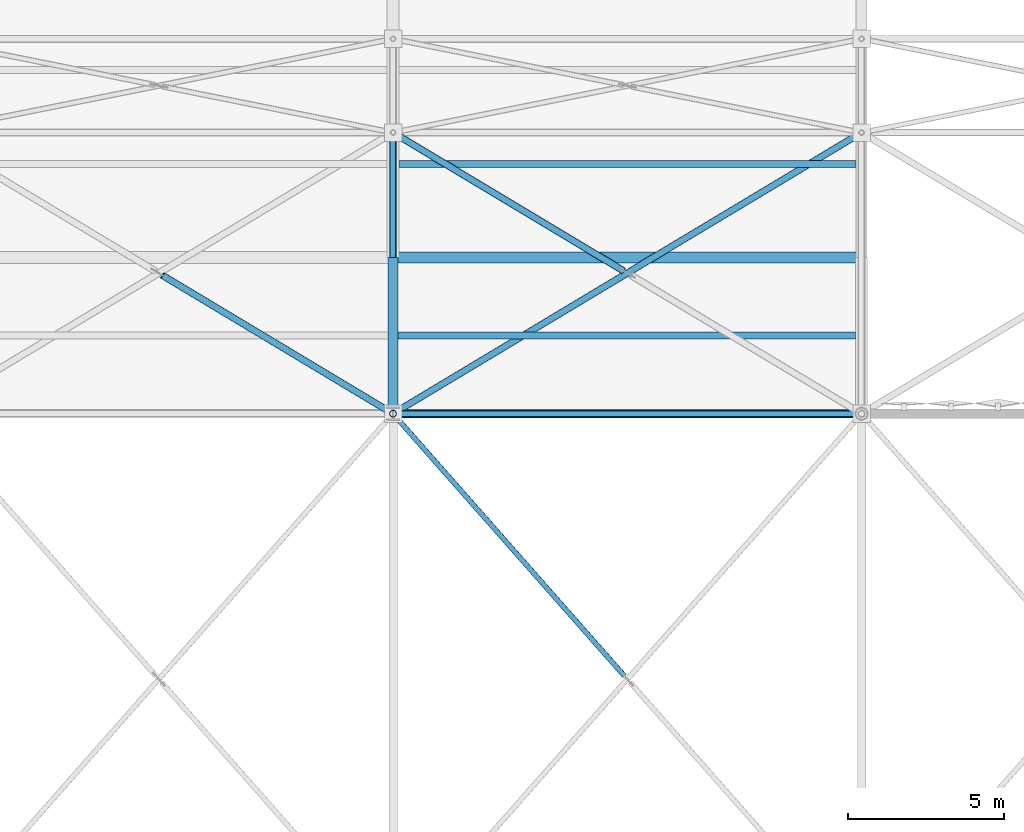
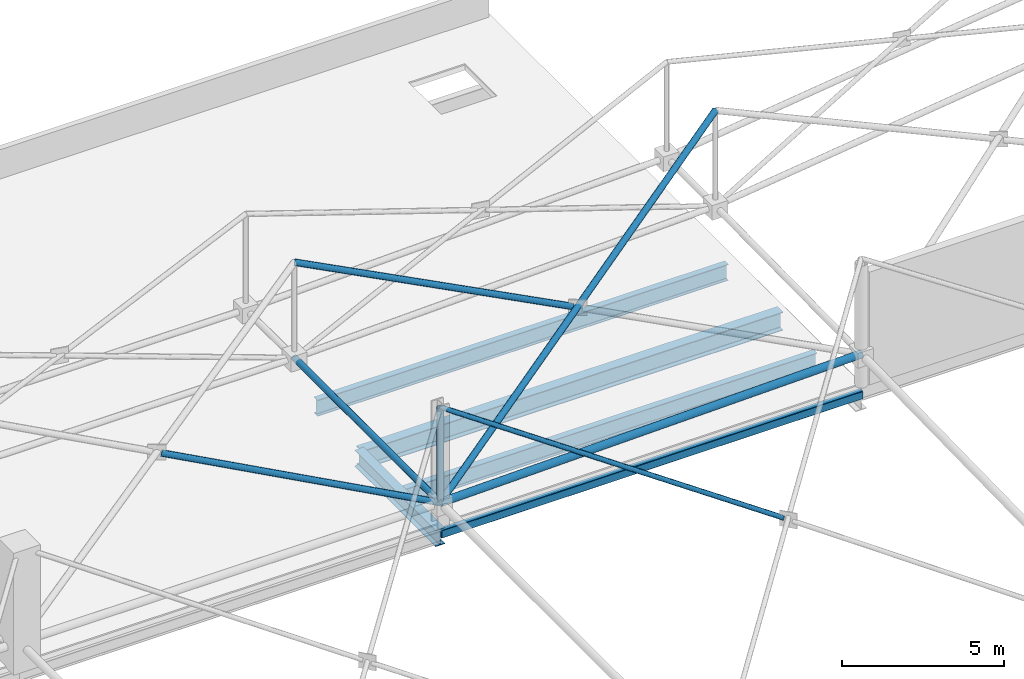
# One storey, part 113 of 224: 7 members, 5 beams.
"""IFC4 building model written with IfcOpenShell, lengths in metres."""

from ifc_helpers import new_model, si_unit, direction, frame, origin, origin_2d, place, context, subcontext, project, spatial, hollow_rectangle, hollow_circle, i_section, extrude, material, material_profile, profile_set, type_object, element, save


model = new_model("IFC4")

# Units and contexts
model_context = context("Model", 3, precision=1e-05, world=origin(), true_north=direction((0.0, 1.0)))
body_context = subcontext(model_context, "Body", "Model", "MODEL_VIEW")
ifc_project = project(units=[si_unit("LENGTHUNIT", "METRE"), si_unit("AREAUNIT", "SQUARE_METRE"), si_unit("VOLUMEUNIT", "CUBIC_METRE"), si_unit("PLANEANGLEUNIT", "RADIAN"), si_unit("MASSUNIT", "GRAM", prefix="KILO")], contexts=[model_context])

# Site, building, storey
site_placement = place(None, origin())
site = spatial("IfcSite", under=ifc_project, at=site_placement, CompositionType="ELEMENT")
building_placement = place(site_placement, origin())
building = spatial("IfcBuilding", under=site, at=building_placement, Name="Qamarlyn Nura Convention Centre", CompositionType="ELEMENT")
storey_placement = place(building_placement, frame((0.0, 0.0, 10.800048828125)))
storey = spatial("IfcBuildingStorey", under=building, at=storey_placement, Name="L02", CompositionType="ELEMENT", Elevation=10.800048828125)

# Beams
ifc_material_1 = material(Name="Steel ASTM A992", Category="steel")
ifc_material_profile_1 = material_profile(ifc_material_1, i_section(OverallWidth=0.323974609375, OverallDepth=0.611083984375, WebThickness=0.0126953125, FlangeThickness=0.01904296875, FilletRadius=0.01611328125, at=origin_2d()), Name="W610X155")
ifc_profile_set_1 = profile_set([ifc_material_profile_1], Name="Steel ASTM A992")
beam_type_1 = type_object("IfcBeamType", Name="BM-GIRD-610", PredefinedType="BEAM", material=ifc_profile_set_1)
beam_1_placement = place(storey_placement, frame((75.0, 103.0, -0.50048828125), z_axis=(0.0, 1.0, 0.0), x_axis=(-1.0, 0.0, 0.0)))
element("IfcBeam", 1, at=beam_1_placement, inside=storey, type_object=beam_type_1, Name="L02 girder 6 M-N", PredefinedType="BEAM", context=body_context, shape_type="SweptSolid", body=[
    extrude(i_section(OverallWidth=0.323974609375, OverallDepth=0.611083984375, WebThickness=0.0126953125, FlangeThickness=0.01904296875, FilletRadius=0.01611328125, at=origin_2d()), origin(), (0.0, 0.0, 1.0), 5.0),
])
ifc_material_profile_2 = material_profile(ifc_material_1, i_section(OverallWidth=0.35498046875, OverallDepth=0.695068359375, WebThickness=0.015380859375, FlangeThickness=0.02490234375, FilletRadius=0.01806640625, at=origin_2d()), Name="W690X217")
ifc_profile_set_2 = profile_set([ifc_material_profile_2], Name="Steel ASTM A992")
beam_type_2 = type_object("IfcBeamType", Name="BM-GIRD-690A", PredefinedType="BEAM", material=ifc_profile_set_2)
beam_2_placement = place(storey_placement, frame((75.0, 108.0, -0.54248046875), z_axis=(1.0, 0.0, 0.0), x_axis=(0.0, 1.0, 0.0)))
element("IfcBeam", 2, at=beam_2_placement, inside=storey, type_object=beam_type_2, Name="L02 girder N 6-7", PredefinedType="BEAM", context=body_context, shape_type="SweptSolid", body=[
    extrude(i_section(OverallWidth=0.35498046875, OverallDepth=0.695068359375, WebThickness=0.015380859375, FlangeThickness=0.02490234375, FilletRadius=0.01806640625, at=origin_2d()), origin(), (0.0, 0.0, 1.0), 15.0),
])
ifc_material_profile_3 = material_profile(ifc_material_1, i_section(OverallWidth=0.22802734375, OverallDepth=0.60791015625, WebThickness=0.01123046875, FlangeThickness=0.017333984375, FilletRadius=0.01611328125, at=origin_2d()), Name="W610X113")
ifc_profile_set_3 = profile_set([ifc_material_profile_3], Name="Steel ASTM A992")
beam_type_3 = type_object("IfcBeamType", Name="BM-JOIST-610", PredefinedType="JOIST", material=ifc_profile_set_3)
beam_3_placement = place(storey_placement, frame((75.162109375, 105.5, -0.4990234375), z_axis=(1.0, 0.0, 0.0), x_axis=(0.0, 1.0, 0.0)))
element("IfcBeam", 3, at=beam_3_placement, inside=storey, type_object=beam_type_3, Name="L02 composite joist 6-7/M+1", PredefinedType="JOIST", context=body_context, shape_type="SweptSolid", body=[
    extrude(i_section(OverallWidth=0.22802734375, OverallDepth=0.60791015625, WebThickness=0.01123046875, FlangeThickness=0.017333984375, FilletRadius=0.01611328125, at=origin_2d()), origin(), (0.0, 0.0, 1.0), 14.6474609375),
])
beam_4_placement = place(storey_placement, frame((75.1904296875, 111.0, -0.4990234375), z_axis=(1.0, 0.0, 0.0), x_axis=(0.0, 1.0, 0.0)))
element("IfcBeam", 4, at=beam_4_placement, inside=storey, type_object=beam_type_3, Name="L02 composite joist 6-7/N+1", PredefinedType="JOIST", context=body_context, shape_type="SweptSolid", body=[
    extrude(i_section(OverallWidth=0.22802734375, OverallDepth=0.60791015625, WebThickness=0.01123046875, FlangeThickness=0.017333984375, FilletRadius=0.01611328125, at=origin_2d()), origin(), (0.0, 0.0, 1.0), 14.632080078125),
])
ifc_material_2 = material(Name="Steel ASTM A500 Grade C", Category="steel")
ifc_material_profile_4 = material_profile(ifc_material_2, hollow_rectangle(XDim=0.199951171875, YDim=0.300048828125, WallThickness=0.012451171875, InnerFilletRadius=0.012451171875, OuterFilletRadius=0.02490234375, at=origin_2d()), Name="HSS300X200X12.5")
ifc_profile_set_4 = profile_set([ifc_material_profile_4], Name="Steel ASTM A500 Grade C")
beam_type_4 = type_object("IfcBeamType", Name="BM-SPAN-HSS", PredefinedType="SPANDREL", material=ifc_profile_set_4)
beam_5_placement = place(storey_placement, frame((75.0, 103.0, -0.344970703125), z_axis=(1.0, 0.0, 0.0), x_axis=(0.0, 1.0, 0.0)))
element("IfcBeam", 5, at=beam_5_placement, inside=storey, type_object=beam_type_4, Name="L02 girder M 6-7", PredefinedType="SPANDREL", context=body_context, shape_type="SweptSolid", body=[
    extrude(hollow_rectangle(XDim=0.199951171875, YDim=0.300048828125, WallThickness=0.012451171875, InnerFilletRadius=0.012451171875, OuterFilletRadius=0.02490234375, at=origin_2d()), origin(), (0.0, 0.0, 1.0), 15.0),
])

# Members
ifc_material_3 = material(Name="Pearl-white PVDF steel ASTM A500 Grade C", Category="steel")
ifc_material_profile_5 = material_profile(ifc_material_3, hollow_circle(Radius=0.109619140625, WallThickness=0.010009765625, at=origin_2d()), Name="CHS219.1X10")
ifc_profile_set_5 = profile_set([ifc_material_profile_5], Name="Pearl-white PVDF steel ASTM A500 Grade C")
member_type_1 = type_object("IfcMemberType", Name="SF-BC-EAVE", PredefinedType="CHORD", material=ifc_profile_set_5)
member_1_placement = place(storey_placement, frame((75.0, 103.0, 0.800048828125), z_axis=(0.0, 1.0, 0.0), x_axis=(-1.0, 0.0, 0.0)))
element("IfcMember", 6, at=member_1_placement, inside=storey, type_object=member_type_1, Name="ROOF TRUSS space frame bottom chord Y7-7", PredefinedType="CHORD", context=body_context, shape_type="SweptSolid", body=[
    extrude(hollow_circle(Radius=0.109619140625, WallThickness=0.010009765625, at=origin_2d()), origin(), (0.0, 0.0, 1.0), 9.0),
])
ifc_material_profile_6 = material_profile(ifc_material_3, hollow_circle(Radius=0.136474609375, WallThickness=0.012451171875, at=origin_2d()), Name="CHS273X12.5")
ifc_profile_set_6 = profile_set([ifc_material_profile_6], Name="Pearl-white PVDF steel ASTM A500 Grade C")
member_type_2 = type_object("IfcMemberType", Name="SF-BC-MAIN", PredefinedType="CHORD", material=ifc_profile_set_6)
member_2_placement = place(storey_placement, frame((75.0, 103.0, 0.800048828125), z_axis=(0.999726977409, 0.0, 0.023366014641), x_axis=(0.0, 1.0, 0.0)))
element("IfcMember", 7, at=member_2_placement, inside=storey, type_object=member_type_2, Name="ROOF TRUSS space frame bottom chord X7-7", PredefinedType="CHORD", context=body_context, shape_type="SweptSolid", body=[
    extrude(hollow_circle(Radius=0.136474609375, WallThickness=0.012451171875, at=origin_2d()), origin(), (0.0, 0.0, 1.0), 15.004150390625),
])
ifc_material_profile_7 = material_profile(ifc_material_3, hollow_circle(Radius=0.109619140625, WallThickness=0.010009765625, at=origin_2d()), Name="CHS219.1X10")
ifc_profile_set_7 = profile_set([ifc_material_profile_7], Name="Pearl-white PVDF steel ASTM A500 Grade C")
member_type_3 = type_object("IfcMemberType", Name="SF-WEB-HVY", PredefinedType="BRACE", material=ifc_profile_set_7)
member_3_placement = place(storey_placement, frame((75.0, 103.0, 0.800048828125), z_axis=(-0.839889638897, 0.503939338531, 0.201570180219), x_axis=(-0.514499925721, -0.857490423522, 0.0)))
element("IfcMember", 8, at=member_3_placement, inside=storey, type_object=member_type_3, Name="ROOF TRUSS space frame split diagonal B1 6-7", PredefinedType="BRACE", context=body_context, shape_type="SweptSolid", body=[
    extrude(hollow_circle(Radius=0.109619140625, WallThickness=0.010009765625, at=origin_2d()), origin(), (0.0, 0.0, 1.0), 8.78955078125),
])
member_4_placement = place(storey_placement, frame((75.0, 103.0, 0.800048828125), z_axis=(0.0, 0.0, 1.0), x_axis=(1.0, 0.0, 0.0)))
element("IfcMember", 9, at=member_4_placement, inside=storey, type_object=member_type_3, Name="ROOF TRUSS space frame vertical 7-7", PredefinedType="BRACE", context=body_context, shape_type="SweptSolid", body=[
    extrude(hollow_circle(Radius=0.109619140625, WallThickness=0.010009765625, at=origin_2d()), origin(), (0.0, 0.0, 1.0), 3.599853515625),
])
member_5_placement = place(storey_placement, frame((75.0, 103.0, 0.800048828125), z_axis=(0.835230606253, 0.501138363752, 0.22638501442), x_axis=(-0.514495755428, 0.857492925713, 0.0)))
element("IfcMember", 10, at=member_5_placement, inside=storey, type_object=member_type_3, Name="ROOF TRUSS space frame diagonal A 7-7", PredefinedType="BRACE", context=body_context, shape_type="SweptSolid", body=[
    extrude(hollow_circle(Radius=0.109619140625, WallThickness=0.010009765625, at=origin_2d()), origin(), (0.0, 0.0, 1.0), 17.959228515625),
])
member_6_placement = place(storey_placement, frame((82.382080078125, 107.57080078125, 2.82958984375), z_axis=(-0.843576538209, 0.506140343162, 0.179445192769), x_axis=(-0.514491584959, -0.85749542798, 0.0)))
element("IfcMember", 11, at=member_6_placement, inside=storey, type_object=member_type_3, Name="ROOF TRUSS space frame split diagonal B2 7-7", PredefinedType="BRACE", context=body_context, shape_type="SweptSolid", body=[
    extrude(hollow_circle(Radius=0.109619140625, WallThickness=0.010009765625, at=origin_2d()), origin(), (0.0, 0.0, 1.0), 8.7509765625),
])
ifc_material_profile_8 = material_profile(ifc_material_3, hollow_circle(Radius=0.084228515625, WallThickness=0.008056640625, at=origin_2d()), Name="CHS168.3X8")
ifc_profile_set_8 = profile_set([ifc_material_profile_8], Name="Pearl-white PVDF steel ASTM A500 Grade C")
member_type_4 = type_object("IfcMemberType", Name="SF-WEB-STD", PredefinedType="BRACE", material=ifc_profile_set_8)
member_7_placement = place(storey_placement, frame((82.408447265625, 94.603759765625, 2.716552734375), z_axis=(-0.654269609058, 0.741505556932, 0.148663336776), x_axis=(-0.749837855365, -0.661621637087, 0.0)))
element("IfcMember", 12, at=member_7_placement, inside=storey, type_object=member_type_4, Name="ROOF TRUSS space frame split diagonal B2 7-6", PredefinedType="BRACE", context=body_context, shape_type="SweptSolid", body=[
    extrude(hollow_circle(Radius=0.084228515625, WallThickness=0.008056640625, at=origin_2d()), origin(), (0.0, 0.0, 1.0), 11.3232421875),
])

save(model, "model.ifc")
